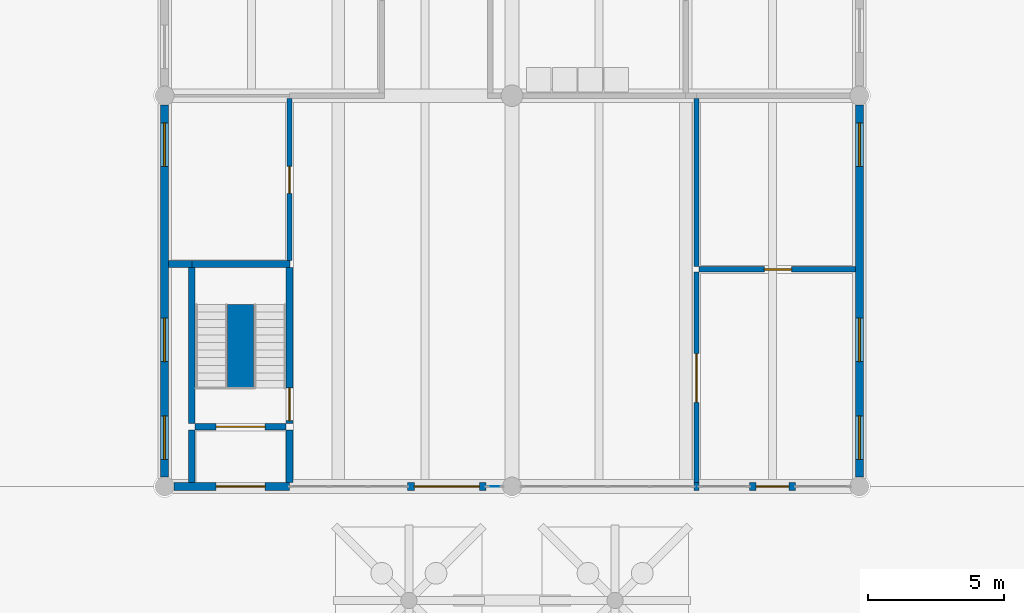
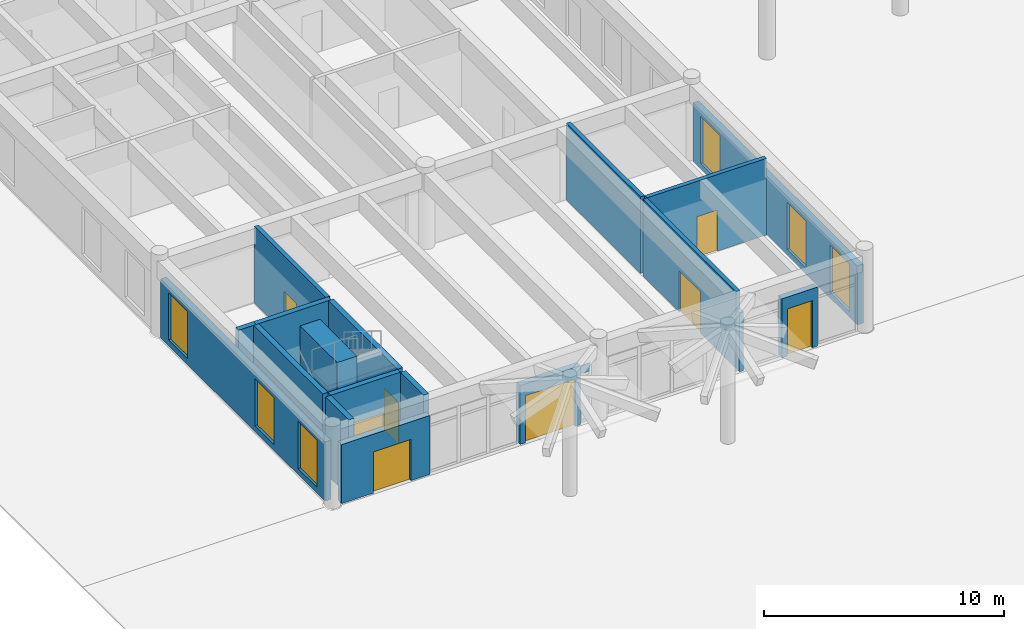
# One storey, part 12 of 28: 18 walls, 8 doors, 6 windows, 1 plate, 14 openings, 1 element without a shape of its own.
"""IFC4 building model written with IfcOpenShell, lengths in metres."""

import ifcopenshell
import ifcopenshell.guid

model = None  # the IFC model being written
_history = None  # IfcOwnerHistory: only IFC2X3 demands one
_inside = {}  # id of a spatial element -> (the spatial element, [elements in it])
_under = {}  # id of a project, library or spatial element -> (it, [spatial elements below it])
_declared = {}  # id of a project -> (the project, [libraries it declares])
_typed = {}  # id of a type object -> (the type object, [elements of that type])
_made_of = {}  # id of a material, layer set ... -> (it, [elements and type objects made of it])


def new_model(schema):
    """Start an empty IFC model of exactly this schema.

    Asked for "IFC4X3", IfcOpenShell would pick the latest addendum, in which some entities
    have other attributes; the version numbers below select the first issue.
    IFC2X3 requires an IfcOwnerHistory on every rooted entity: one is made here for all.
    """
    global model, _history
    if schema == "IFC4X3":
        model = ifcopenshell.file(schema_version=(4, 3, 0, 0))
    else:
        model = ifcopenshell.file(schema=schema)
    _inside.clear()
    _under.clear()
    _declared.clear()
    _typed.clear()
    _made_of.clear()
    _history = None
    if model.schema == "IFC2X3":
        org = make("IfcOrganization", Name="unknown")
        user = make(
            "IfcPersonAndOrganization",
            ThePerson=make("IfcPerson", FamilyName="unknown"),
            TheOrganization=org,
        )
        app = make(
            "IfcApplication",
            ApplicationDeveloper=org,
            Version="unknown",
            ApplicationFullName="unknown",
            ApplicationIdentifier="unknown",
        )
        _history = make(
            "IfcOwnerHistory",
            OwningUser=user,
            OwningApplication=app,
            ChangeAction="ADDED",
            CreationDate=0,
        )
    return model


def make(cls, **values):
    """One entity of the class cls with the attributes given. An attribute that is None is left unset."""
    return model.create_entity(
        cls, **{name: value for name, value in values.items() if value is not None}
    )


def rooted(cls, **values):
    """An entity with a GlobalId (a new one), such as an element, a storey or a relation."""
    return make(cls, GlobalId=ifcopenshell.guid.new(), OwnerHistory=_history, **values)


def si_unit(unit_type, name, prefix=None):
    """IfcSIUnit, for example si_unit("LENGTHUNIT", "METRE", prefix="MILLI")."""
    return make("IfcSIUnit", UnitType=unit_type, Prefix=prefix, Name=name)


def assignment(units):
    """IfcUnitAssignment: the units of a project."""
    return None if units is None else make("IfcUnitAssignment", Units=units)


def point(xyz):
    """IfcCartesianPoint."""
    return None if xyz is None else make("IfcCartesianPoint", Coordinates=xyz)


def direction(xyz):
    """IfcDirection."""
    return None if xyz is None else make("IfcDirection", DirectionRatios=xyz)


def frame(location, z_axis=None, x_axis=None):
    """IfcAxis2Placement3D, a coordinate frame: its origin and axes. An axis left out is left unset."""
    return make(
        "IfcAxis2Placement3D",
        Location=point(location),
        Axis=direction(z_axis),
        RefDirection=direction(x_axis),
    )


def frame_2d(location, x_axis=None):
    """IfcAxis2Placement2D, a coordinate frame in the plane: its origin and x axis."""
    return make(
        "IfcAxis2Placement2D", Location=point(location), RefDirection=direction(x_axis)
    )


def origin():
    """The frame at (0, 0, 0) with its axes left unset."""
    return frame((0.0, 0.0, 0.0))


def origin_2d():
    """The frame at (0, 0) in the plane with its x axis left unset."""
    return frame_2d((0.0, 0.0))


def place(relative_to, where):
    """IfcLocalPlacement: puts the frame where relative to a parent placement (None: the world)."""
    return make(
        "IfcLocalPlacement", PlacementRelTo=relative_to, RelativePlacement=where
    )


def context(
    kind, dimensions, precision=None, world=None, true_north=None, identifier=None
):
    """IfcGeometricRepresentationContext, for example the 3D "Model" context."""
    return make(
        "IfcGeometricRepresentationContext",
        ContextIdentifier=identifier,
        ContextType=kind,
        CoordinateSpaceDimension=dimensions,
        Precision=precision,
        WorldCoordinateSystem=world,
        TrueNorth=true_north,
    )


def subcontext(parent, identifier, kind, view, scale=None):
    """IfcGeometricRepresentationSubContext, for example "Body" below "Model"."""
    return make(
        "IfcGeometricRepresentationSubContext",
        ContextIdentifier=identifier,
        ContextType=kind,
        ParentContext=parent,
        TargetScale=scale,
        TargetView=view,
    )


def project(units=None, contexts=None):
    """IfcProject with its units and contexts."""
    return rooted(
        "IfcProject",
        Name="project",
        RepresentationContexts=contexts,
        UnitsInContext=assignment(units),
    )


def spatial(cls, under=None, at=None, **own):
    """A site, building, storey or space (cls), placed at a placement, below another one or the project."""
    s = rooted(cls, ObjectPlacement=at, **own)
    if under is not None:
        _under.setdefault(under.id(), (under, []))[1].append(s)
    return s


def profile(cls, at=None, kind="AREA", **sizes):
    """A parametric profile (cls). Its sizes go by their IFC names, for example OverallWidth=200.0."""
    return make(cls, ProfileType=kind, Position=at, **sizes)


def rectangle(**sizes):
    """IfcRectangleProfileDef."""
    return profile("IfcRectangleProfileDef", **sizes)


def extrude(swept, where, along, depth):
    """IfcExtrudedAreaSolid: the profile swept, set in the frame where, extruded along a direction by depth."""
    return make(
        "IfcExtrudedAreaSolid",
        SweptArea=swept,
        Position=where,
        ExtrudedDirection=direction(along),
        Depth=depth,
    )


def shape(context_of_items, identifier, shape_type, items):
    """IfcShapeRepresentation: the items that make up one representation, for example the "Body"."""
    return make(
        "IfcShapeRepresentation",
        ContextOfItems=context_of_items,
        RepresentationIdentifier=identifier,
        RepresentationType=shape_type,
        Items=items,
    )


def material(Name=None, Category=None):
    """IfcMaterial."""
    return make("IfcMaterial", Name=Name, Category=Category)


def layer(
    of_material, thickness, ventilated=None, Name=None, Category=None, Priority=None
):
    """IfcMaterialLayer: one layer of a wall or slab, of a material (None: an air gap)."""
    return make(
        "IfcMaterialLayer",
        Material=of_material,
        LayerThickness=thickness,
        IsVentilated=ventilated,
        Name=Name,
        Category=Category,
        Priority=Priority,
    )


def layer_set(layers, Name=None):
    """IfcMaterialLayerSet."""
    return make("IfcMaterialLayerSet", MaterialLayers=layers, LayerSetName=Name)


def made_of(thing, what):
    """Note that an element or type object is made of a material, layer set ...; save() writes the relation."""
    if what is not None:
        _made_of.setdefault(what.id(), (what, []))[1].append(thing)
    return thing


def type_object(cls, material=None, **own):
    """A type object (cls), such as IfcWallType, which elements share."""
    return made_of(rooted(cls, **own), material)


def element(
    cls,
    number,
    at=None,
    inside=None,
    cuts=None,
    type_object=None,
    material=None,
    context=None,
    identifier="Body",
    shape_type=None,
    held_by="IfcProductDefinitionShape",
    body=None,
    shapes=None,
    **own,
):
    """One element of the class cls, such as IfcWall. Its Tag is "e" and its number.

    at: its placement. inside: the storey or other place that contains it. cuts: it is an
    opening in that element (IfcRelVoidsElement). A single representation is given by context,
    identifier, shape_type and body (its items); several are given by shapes. held_by: the class
    of the entity that holds the representations. save() writes the other relations.
    """
    e = rooted(cls, Tag="e%d" % number, ObjectPlacement=at, **own)
    if body is not None:
        shapes = [shape(context, identifier, shape_type, body)]
    if shapes is not None:
        e.Representation = make(held_by, Representations=shapes)
    if inside is not None:
        _inside.setdefault(inside.id(), (inside, []))[1].append(e)
    if cuts is not None:
        rooted(
            "IfcRelVoidsElement", RelatingBuildingElement=cuts, RelatedOpeningElement=e
        )
    if type_object is not None:
        _typed.setdefault(type_object.id(), (type_object, []))[1].append(e)
    return made_of(e, material)


def fill(opening, filler):
    """IfcRelFillsElement: the door or window that sits in an opening."""
    return rooted(
        "IfcRelFillsElement",
        RelatingOpeningElement=opening,
        RelatedBuildingElement=filler,
    )


def aggregate(whole, parts):
    """IfcRelAggregates: a whole, such as a stair, and the parts it consists of."""
    return rooted("IfcRelAggregates", RelatingObject=whole, RelatedObjects=parts)


def save(model, path):
    """Write the relations noted so far, then the file.

    IfcRelAggregates (storeys below a building ...), IfcRelContainedInSpatialStructure (elements
    in a storey), IfcRelDefinesByType, IfcRelAssociatesMaterial and IfcRelDeclares: one each for
    every whole, place, type object, material and project.
    """
    for whole, parts in _under.values():
        aggregate(whole, parts)
    for where, things in _inside.values():
        rooted(
            "IfcRelContainedInSpatialStructure",
            RelatedElements=things,
            RelatingStructure=where,
        )
    for kind, things in _typed.values():
        rooted("IfcRelDefinesByType", RelatedObjects=things, RelatingType=kind)
    for what, things in _made_of.values():
        rooted("IfcRelAssociatesMaterial", RelatedObjects=things, RelatingMaterial=what)
    for by, libraries in _declared.values():
        rooted("IfcRelDeclares", RelatingContext=by, RelatedDefinitions=libraries)
    model.write(path)


model = new_model("IFC4")

# Units and contexts
model_context = context("Model", 3, precision=1e-05, world=origin(), true_north=direction((0.0, 1.0)))
body_context = subcontext(model_context, "Body", "Model", "MODEL_VIEW")
ifc_project = project(units=[si_unit("LENGTHUNIT", "METRE"), si_unit("AREAUNIT", "SQUARE_METRE"), si_unit("VOLUMEUNIT", "CUBIC_METRE"), si_unit("PLANEANGLEUNIT", "RADIAN"), si_unit("MASSUNIT", "GRAM", prefix="KILO")], contexts=[model_context])

# Site, building, storey
site_placement = place(None, origin())
site = spatial("IfcSite", under=ifc_project, at=site_placement, CompositionType="ELEMENT")
building_placement = place(site_placement, origin())
building = spatial("IfcBuilding", under=site, at=building_placement, Name="Fogon Plaza Fire Station and Headquarters Tower", CompositionType="ELEMENT")
storey_placement = place(building_placement, origin())
storey = spatial("IfcBuildingStorey", under=building, at=storey_placement, Name="L00", CompositionType="ELEMENT", Elevation=0.0)

# Curtain wall, plate
ifc_material_1 = material(Name="Aluminium and glass", Category="aluminium")
ifc_layer_1 = layer(ifc_material_1, 0.14990234375)
ifc_layer_set_1 = layer_set([ifc_layer_1], Name="Aluminium and glass")
curtain_wall_type = type_object("IfcCurtainWallType", Name="Unitised Curtain Wall Run 600x3000", PredefinedType="NOTDEFINED", material=ifc_layer_set_1)
curtain_wall_placement = place(storey_placement, origin())
curtain_wall = element("IfcCurtainWall", 1, at=curtain_wall_placement, inside=storey, type_object=curtain_wall_type, Name="CW-600x3000 WS L00", PredefinedType="NOTDEFINED")
ifc_material_2 = material(Name="Low-e double glazing", Category="glass")
ifc_layer_2 = layer(ifc_material_2, 0.028076171875)
ifc_layer_set_2 = layer_set([ifc_layer_2], Name="Low-e double glazing")
plate_type = type_object("IfcPlateType", Name="Vision Glass Panel 480x420", PredefinedType="CURTAIN_PANEL", material=ifc_layer_set_2)
plate_placement = place(storey_placement, frame((12.14990234375, 0.0, 2.4599609375), z_axis=(0.0, 0.0, 1.0), x_axis=(1.0, 0.0, 0.0)))
plate = element("IfcPlate", 2, at=plate_placement, type_object=plate_type, Name="VG-480x420 panel 1.2", PredefinedType="CURTAIN_PANEL", context=body_context, shape_type="SweptSolid", body=[
    extrude(rectangle(XDim=0.47998046875, YDim=0.028076171875, at=origin_2d()), origin(), (0.0, 0.0, 1.0), 0.419921875),
])
aggregate(curtain_wall, [plate])

# Wall, opening, door
ifc_material_3 = material(Name="Concrete C40", Category="concrete")
ifc_layer_3 = layer(ifc_material_3, 0.300048828125)
ifc_layer_set_3 = layer_set([ifc_layer_3], Name="Concrete C40")
wall_type_1 = type_object("IfcWallType", Name="Board-marked RC Infill Wall 300", PredefinedType="SOLIDWALL", material=ifc_layer_set_3)
wall_1_placement = place(storey_placement, frame((8.949951171875, 0.0, 0.0), z_axis=(0.0, 0.0, 1.0), x_axis=(1.0, 0.0, 0.0)))
wall_1 = element("IfcWall", 3, at=wall_1_placement, inside=storey, type_object=wall_type_1, Name="Exterior wall WS L00", PredefinedType="SOLIDWALL", context=body_context, shape_type="SweptSolid", body=[
    extrude(rectangle(XDim=2.900146484375, YDim=0.300048828125, at=frame_2d((1.4501953125, 0.0))), origin(), (0.0, 0.0, 1.0), 3.0),
])
opening_1_placement = place(wall_1_placement, frame((0.25, 0.0, 0.0)))
opening_1 = element("IfcOpeningElement", 4, at=opening_1_placement, cuts=wall_1, Name="Opening L00-D02", PredefinedType="OPENING", context=body_context, shape_type="SweptSolid", body=[
    extrude(rectangle(XDim=2.39990234375, YDim=2.39990234375, at=frame_2d((1.199951171875, 1.199951171875))), frame((0.0, 0.159912109375, 0.0), z_axis=(0.0, -1.0, 0.0), x_axis=(1.0, 0.0, 0.0)), (0.0, 0.0, 1.0), 0.320068359375),
])
ifc_material_4 = material(Name="Aluminium and glass", Category="aluminium")
door_type_1 = type_object("IfcDoorType", Name="Entrance Double Glazed 2400x2400", OperationType="SINGLE_SWING_LEFT", PredefinedType="DOOR", material=ifc_material_4)
door_1_placement = place(opening_1_placement, frame((2.39990234375, 0.0, 0.0), z_axis=(0.0, 0.0, 1.0), x_axis=(-1.0, 0.0, 0.0)))
door_1 = element("IfcDoor", 5, at=door_1_placement, inside=storey, type_object=door_type_1, Name="Exterior door L00-D02", OperationType="SINGLE_SWING_LEFT", OverallHeight=2.39990234375, OverallWidth=2.39990234375, PredefinedType="DOOR", context=body_context, shape_type="SweptSolid", body=[
    extrude(rectangle(XDim=2.39990234375, YDim=2.39990234375, at=frame_2d((1.199951171875, 1.199951171875))), frame((0.0, 0.02490234375, 0.0), z_axis=(0.0, -1.0, 0.0), x_axis=(1.0, 0.0, 0.0)), (0.0, 0.0, 1.0), 0.050048828125),
])
fill(opening_1, door_1)

# Wall
wall_2_placement = place(storey_placement, frame((19.5, 0.0, 0.0), z_axis=(0.0, 0.0, 1.0), x_axis=(1.0, 0.0, 0.0)))
element("IfcWall", 6, at=wall_2_placement, inside=storey, type_object=wall_type_1, Name="Exterior wall WS L00", PredefinedType="SOLIDWALL", context=body_context, shape_type="SweptSolid", body=[
    extrude(rectangle(XDim=0.199951171875, YDim=0.300048828125, at=frame_2d((0.10009765625, 0.0))), origin(), (0.0, 0.0, 1.0), 3.0),
])

# Wall, opening, door
wall_3_placement = place(storey_placement, frame((21.550048828125, 0.0, 0.0), z_axis=(0.0, 0.0, 1.0), x_axis=(1.0, 0.0, 0.0)))
wall_3 = element("IfcWall", 7, at=wall_3_placement, inside=storey, type_object=wall_type_1, Name="Exterior wall WS L00", PredefinedType="SOLIDWALL", context=body_context, shape_type="SweptSolid", body=[
    extrude(rectangle(XDim=1.699951171875, YDim=0.300048828125, at=frame_2d((0.85009765625, 0.0))), origin(), (0.0, 0.0, 1.0), 3.0),
])
opening_2_placement = place(wall_3_placement, frame((0.25, 0.0, 0.0)))
opening_2 = element("IfcOpeningElement", 8, at=opening_2_placement, cuts=wall_3, Name="Opening L00-D03", PredefinedType="OPENING", context=body_context, shape_type="SweptSolid", body=[
    extrude(rectangle(XDim=1.199951171875, YDim=2.39990234375, at=frame_2d((0.60009765625, 1.199951171875))), frame((0.0, 0.159912109375, 0.0), z_axis=(0.0, -1.0, 0.0), x_axis=(1.0, 0.0, 0.0)), (0.0, 0.0, 1.0), 0.320068359375),
])
ifc_material_5 = material(Name="Aluminium and glass", Category="aluminium")
door_type_2 = type_object("IfcDoorType", Name="Entrance Single Glazed 1200x2400", OperationType="SINGLE_SWING_LEFT", PredefinedType="DOOR", material=ifc_material_5)
door_2_placement = place(opening_2_placement, frame((1.199951171875, 0.0, 0.0), z_axis=(0.0, 0.0, 1.0), x_axis=(-1.0, 0.0, 0.0)))
door_2 = element("IfcDoor", 9, at=door_2_placement, inside=storey, type_object=door_type_2, Name="Exterior door L00-D03", OperationType="SINGLE_SWING_LEFT", OverallHeight=2.39990234375, OverallWidth=1.199951171875, PredefinedType="DOOR", context=body_context, shape_type="SweptSolid", body=[
    extrude(rectangle(XDim=1.199951171875, YDim=2.39990234375, at=frame_2d((0.60009765625, 1.199951171875))), frame((0.0, 0.02490234375, 0.0), z_axis=(0.0, -1.0, 0.0), x_axis=(1.0, 0.0, 0.0)), (0.0, 0.0, 1.0), 0.050048828125),
])
fill(opening_2, door_2)

# Wall, openings, windows
wall_4_placement = place(storey_placement, frame((0.0, 0.35009765625, 0.0), z_axis=(0.0, 0.0, 1.0), x_axis=(0.0, 1.0, 0.0)))
wall_4 = element("IfcWall", 10, at=wall_4_placement, inside=storey, type_object=wall_type_1, Name="Exterior wall WW L00", PredefinedType="SOLIDWALL", context=body_context, shape_type="SweptSolid", body=[
    extrude(rectangle(XDim=13.699951171875, YDim=0.300048828125, at=frame_2d((6.85009765625, 0.0))), origin(), (0.0, 0.0, 1.0), 3.0),
])
opening_3_placement = place(wall_4_placement, frame((0.64990234375, 0.0, 0.300048828125)))
opening_3 = element("IfcOpeningElement", 11, at=opening_3_placement, cuts=wall_4, Name="Opening W2", PredefinedType="OPENING", context=body_context, shape_type="SweptSolid", body=[
    extrude(rectangle(XDim=1.60009765625, YDim=2.39990234375, at=frame_2d((0.800048828125, 1.199951171875))), frame((0.0, 0.159912109375, 0.0), z_axis=(0.0, -1.0, 0.0), x_axis=(1.0, 0.0, 0.0)), (0.0, 0.0, 1.0), 0.320068359375),
])
opening_4_placement = place(wall_4_placement, frame((4.25, 0.0, 0.300048828125)))
opening_4 = element("IfcOpeningElement", 12, at=opening_4_placement, cuts=wall_4, Name="Opening W2", PredefinedType="OPENING", context=body_context, shape_type="SweptSolid", body=[
    extrude(rectangle(XDim=1.60009765625, YDim=2.39990234375, at=frame_2d((0.800048828125, 1.199951171875))), frame((0.0, 0.159912109375, 0.0), z_axis=(0.0, -1.0, 0.0), x_axis=(1.0, 0.0, 0.0)), (0.0, 0.0, 1.0), 0.320068359375),
])
opening_5_placement = place(wall_4_placement, frame((11.449951171875, 0.0, 0.300048828125)))
opening_5 = element("IfcOpeningElement", 13, at=opening_5_placement, cuts=wall_4, Name="Opening W2", PredefinedType="OPENING", context=body_context, shape_type="SweptSolid", body=[
    extrude(rectangle(XDim=1.60009765625, YDim=2.39990234375, at=frame_2d((0.800048828125, 1.199951171875))), frame((0.0, 0.159912109375, 0.0), z_axis=(0.0, -1.0, 0.0), x_axis=(1.0, 0.0, 0.0)), (0.0, 0.0, 1.0), 0.320068359375),
])
ifc_material_6 = material(Name="Aluminium framed double glazing", Category="aluminium")
window_type = type_object("IfcWindowType", Name="Window W2 1600x2400", PartitioningType="SINGLE_PANEL", PredefinedType="WINDOW", material=ifc_material_6)
window_1_placement = place(opening_3_placement, origin())
window_1 = element("IfcWindow", 14, at=window_1_placement, inside=storey, type_object=window_type, Name="Window W2 W L00", OverallHeight=2.39990234375, OverallWidth=1.60009765625, PartitioningType="SINGLE_PANEL", PredefinedType="WINDOW", context=body_context, shape_type="SweptSolid", body=[
    extrude(rectangle(XDim=1.60009765625, YDim=2.39990234375, at=frame_2d((0.800048828125, 1.199951171875))), frame((0.0, 0.030029296875, 0.0), z_axis=(0.0, -1.0, 0.0), x_axis=(1.0, 0.0, 0.0)), (0.0, 0.0, 1.0), 0.06005859375),
])
fill(opening_3, window_1)
window_2_placement = place(opening_4_placement, origin())
window_2 = element("IfcWindow", 15, at=window_2_placement, inside=storey, type_object=window_type, Name="Window W2 W L00", OverallHeight=2.39990234375, OverallWidth=1.60009765625, PartitioningType="SINGLE_PANEL", PredefinedType="WINDOW", context=body_context, shape_type="SweptSolid", body=[
    extrude(rectangle(XDim=1.60009765625, YDim=2.39990234375, at=frame_2d((0.800048828125, 1.199951171875))), frame((0.0, 0.030029296875, 0.0), z_axis=(0.0, -1.0, 0.0), x_axis=(1.0, 0.0, 0.0)), (0.0, 0.0, 1.0), 0.06005859375),
])
fill(opening_4, window_2)
window_3_placement = place(opening_5_placement, origin())
window_3 = element("IfcWindow", 16, at=window_3_placement, inside=storey, type_object=window_type, Name="Window W2 W L00", OverallHeight=2.39990234375, OverallWidth=1.60009765625, PartitioningType="SINGLE_PANEL", PredefinedType="WINDOW", context=body_context, shape_type="SweptSolid", body=[
    extrude(rectangle(XDim=1.60009765625, YDim=2.39990234375, at=frame_2d((0.800048828125, 1.199951171875))), frame((0.0, 0.030029296875, 0.0), z_axis=(0.0, -1.0, 0.0), x_axis=(1.0, 0.0, 0.0)), (0.0, 0.0, 1.0), 0.06005859375),
])
fill(opening_5, window_3)

wall_5_placement = place(storey_placement, frame((25.60009765625, 0.35009765625, 0.0), z_axis=(0.0, 0.0, 1.0), x_axis=(0.0, 1.0, 0.0)))
wall_5 = element("IfcWall", 17, at=wall_5_placement, inside=storey, type_object=wall_type_1, Name="Exterior wall WE L00", PredefinedType="SOLIDWALL", context=body_context, shape_type="SweptSolid", body=[
    extrude(rectangle(XDim=13.699951171875, YDim=0.300048828125, at=frame_2d((6.85009765625, 0.0))), origin(), (0.0, 0.0, 1.0), 3.0),
])
opening_6_placement = place(wall_5_placement, frame((0.64990234375, 0.0, 0.300048828125)))
opening_6 = element("IfcOpeningElement", 18, at=opening_6_placement, cuts=wall_5, Name="Opening W2", PredefinedType="OPENING", context=body_context, shape_type="SweptSolid", body=[
    extrude(rectangle(XDim=1.60009765625, YDim=2.39990234375, at=frame_2d((0.800048828125, 1.199951171875))), frame((0.0, 0.159912109375, 0.0), z_axis=(0.0, -1.0, 0.0), x_axis=(1.0, 0.0, 0.0)), (0.0, 0.0, 1.0), 0.320068359375),
])
opening_7_placement = place(wall_5_placement, frame((4.25, 0.0, 0.300048828125)))
opening_7 = element("IfcOpeningElement", 19, at=opening_7_placement, cuts=wall_5, Name="Opening W2", PredefinedType="OPENING", context=body_context, shape_type="SweptSolid", body=[
    extrude(rectangle(XDim=1.60009765625, YDim=2.39990234375, at=frame_2d((0.800048828125, 1.199951171875))), frame((0.0, 0.159912109375, 0.0), z_axis=(0.0, -1.0, 0.0), x_axis=(1.0, 0.0, 0.0)), (0.0, 0.0, 1.0), 0.320068359375),
])
opening_8_placement = place(wall_5_placement, frame((11.449951171875, 0.0, 0.300048828125)))
opening_8 = element("IfcOpeningElement", 20, at=opening_8_placement, cuts=wall_5, Name="Opening W2", PredefinedType="OPENING", context=body_context, shape_type="SweptSolid", body=[
    extrude(rectangle(XDim=1.60009765625, YDim=2.39990234375, at=frame_2d((0.800048828125, 1.199951171875))), frame((0.0, 0.159912109375, 0.0), z_axis=(0.0, -1.0, 0.0), x_axis=(1.0, 0.0, 0.0)), (0.0, 0.0, 1.0), 0.320068359375),
])
window_4_placement = place(opening_6_placement, origin())
window_4 = element("IfcWindow", 21, at=window_4_placement, inside=storey, type_object=window_type, Name="Window W2 E L00", OverallHeight=2.39990234375, OverallWidth=1.60009765625, PartitioningType="SINGLE_PANEL", PredefinedType="WINDOW", context=body_context, shape_type="SweptSolid", body=[
    extrude(rectangle(XDim=1.60009765625, YDim=2.39990234375, at=frame_2d((0.800048828125, 1.199951171875))), frame((0.0, 0.030029296875, 0.0), z_axis=(0.0, -1.0, 0.0), x_axis=(1.0, 0.0, 0.0)), (0.0, 0.0, 1.0), 0.06005859375),
])
fill(opening_6, window_4)
window_5_placement = place(opening_7_placement, origin())
window_5 = element("IfcWindow", 22, at=window_5_placement, inside=storey, type_object=window_type, Name="Window W2 E L00", OverallHeight=2.39990234375, OverallWidth=1.60009765625, PartitioningType="SINGLE_PANEL", PredefinedType="WINDOW", context=body_context, shape_type="SweptSolid", body=[
    extrude(rectangle(XDim=1.60009765625, YDim=2.39990234375, at=frame_2d((0.800048828125, 1.199951171875))), frame((0.0, 0.030029296875, 0.0), z_axis=(0.0, -1.0, 0.0), x_axis=(1.0, 0.0, 0.0)), (0.0, 0.0, 1.0), 0.06005859375),
])
fill(opening_7, window_5)
window_6_placement = place(opening_8_placement, origin())
window_6 = element("IfcWindow", 23, at=window_6_placement, inside=storey, type_object=window_type, Name="Window W2 E L00", OverallHeight=2.39990234375, OverallWidth=1.60009765625, PartitioningType="SINGLE_PANEL", PredefinedType="WINDOW", context=body_context, shape_type="SweptSolid", body=[
    extrude(rectangle(XDim=1.60009765625, YDim=2.39990234375, at=frame_2d((0.800048828125, 1.199951171875))), frame((0.0, 0.030029296875, 0.0), z_axis=(0.0, -1.0, 0.0), x_axis=(1.0, 0.0, 0.0)), (0.0, 0.0, 1.0), 0.06005859375),
])
fill(opening_8, window_6)

# Wall, opening, door
ifc_material_7 = material(Name="Concrete C40", Category="concrete")
ifc_layer_4 = layer(ifc_material_7, 0.300048828125)
ifc_layer_set_4 = layer_set([ifc_layer_4], Name="Concrete C40")
wall_type_2 = type_object("IfcWallType", Name="Board-marked RC Infill Wall 300 EI 120", PredefinedType="SOLIDWALL", material=ifc_layer_set_4)
wall_6_placement = place(storey_placement, frame((0.35009765625, 0.0, 0.0), z_axis=(0.0, 0.0, 1.0), x_axis=(1.0, 0.0, 0.0)))
wall_6 = element("IfcWall", 24, at=wall_6_placement, inside=storey, type_object=wall_type_2, Name="Exterior wall WS L00", PredefinedType="SOLIDWALL", context=body_context, shape_type="SweptSolid", body=[
    extrude(rectangle(XDim=4.25, YDim=0.300048828125, at=frame_2d((2.125, 0.0))), origin(), (0.0, 0.0, 1.0), 3.0),
])
opening_9_placement = place(wall_6_placement, frame((1.550048828125, 0.0, 0.0)))
opening_9 = element("IfcOpeningElement", 25, at=opening_9_placement, cuts=wall_6, Name="Opening L00-D01", PredefinedType="OPENING", context=body_context, shape_type="SweptSolid", body=[
    extrude(rectangle(XDim=1.800048828125, YDim=2.10009765625, at=frame_2d((0.89990234375, 1.050048828125))), frame((0.0, 0.159912109375, 0.0), z_axis=(0.0, -1.0, 0.0), x_axis=(1.0, 0.0, 0.0)), (0.0, 0.0, 1.0), 0.320068359375),
])
ifc_material_8 = material(Name="Steel Fire Door Leaf", Category="steel")
door_type_3 = type_object("IfcDoorType", Name="Stair Discharge Double 1800x2100", OperationType="SINGLE_SWING_LEFT", PredefinedType="DOOR", material=ifc_material_8)
door_3_placement = place(opening_9_placement, frame((1.800048828125, 0.0, 0.0), z_axis=(0.0, 0.0, 1.0), x_axis=(-1.0, 0.0, 0.0)))
door_3 = element("IfcDoor", 26, at=door_3_placement, inside=storey, type_object=door_type_3, Name="Exterior door L00-D01", OperationType="SINGLE_SWING_RIGHT", OverallHeight=2.10009765625, OverallWidth=1.800048828125, PredefinedType="DOOR", context=body_context, shape_type="SweptSolid", body=[
    extrude(rectangle(XDim=1.800048828125, YDim=2.10009765625, at=frame_2d((0.89990234375, 1.050048828125))), frame((0.0, 0.02490234375, 0.0), z_axis=(0.0, -1.0, 0.0), x_axis=(1.0, 0.0, 0.0)), (0.0, 0.0, 1.0), 0.050048828125),
])
fill(opening_9, door_3)

ifc_material_9 = material(Name="Gypsum Board Fire Partition")
ifc_layer_5 = layer(ifc_material_9, 0.199951171875)
ifc_layer_set_5 = layer_set([ifc_layer_5], Name="Gypsum Board Fire Partition")
wall_type_3 = type_object("IfcWallType", Name="Corridor Wall EI 60", PredefinedType="PARTITIONING", material=ifc_layer_set_5)
wall_7_placement = place(storey_placement, frame((19.699951171875, 8.0, 0.0), z_axis=(0.0, 0.0, 1.0), x_axis=(1.0, 0.0, 0.0)))
wall_7 = element("IfcWall", 27, at=wall_7_placement, inside=storey, type_object=wall_type_3, Name="wall-L00-W-002", PredefinedType="PARTITIONING", context=body_context, shape_type="SweptSolid", body=[
    extrude(rectangle(XDim=5.75, YDim=0.199951171875, at=frame_2d((2.875, 0.0))), origin(), (0.0, 0.0, 1.0), 3.89990234375),
])
opening_10_placement = place(wall_7_placement, frame((2.39990234375, 0.0, 0.0)))
opening_10 = element("IfcOpeningElement", 28, at=opening_10_placement, cuts=wall_7, Name="Opening L00-D64", PredefinedType="OPENING", context=body_context, shape_type="SweptSolid", body=[
    extrude(rectangle(XDim=1.0, YDim=2.10009765625, at=frame_2d((0.5, 1.050048828125))), frame((0.0, 0.10986328125, 0.0), z_axis=(0.0, -1.0, 0.0), x_axis=(1.0, 0.0, 0.0)), (0.0, 0.0, 1.0), 0.219970703125),
])
ifc_material_10 = material(Name="Steel Fire Door Leaf", Category="steel")
door_type_4 = type_object("IfcDoorType", Name="Corridor Door EI 20 1000x2100", OperationType="SINGLE_SWING_LEFT", PredefinedType="DOOR", material=ifc_material_10)
door_4_placement = place(opening_10_placement, origin())
door_4 = element("IfcDoor", 29, at=door_4_placement, inside=storey, type_object=door_type_4, Name="door-L00-W-04", OperationType="SINGLE_SWING_LEFT", OverallHeight=2.10009765625, OverallWidth=1.0, PredefinedType="DOOR", context=body_context, shape_type="SweptSolid", body=[
    extrude(rectangle(XDim=1.0, YDim=2.10009765625, at=frame_2d((0.5, 1.050048828125))), frame((0.0, 0.02490234375, 0.0), z_axis=(0.0, -1.0, 0.0), x_axis=(1.0, 0.0, 0.0)), (0.0, 0.0, 1.0), 0.050048828125),
])
fill(opening_10, door_4)

wall_8_placement = place(storey_placement, frame((4.60009765625, 8.324951171875, 0.0), z_axis=(0.0, 0.0, 1.0), x_axis=(0.0, 1.0, 0.0)))
wall_8 = element("IfcWall", 30, at=wall_8_placement, inside=storey, type_object=wall_type_3, Name="wall-L00-W-038", PredefinedType="PARTITIONING", context=body_context, shape_type="SweptSolid", body=[
    extrude(rectangle(XDim=5.97509765625, YDim=0.199951171875, at=frame_2d((2.987548828125, 0.0))), origin(), (0.0, 0.0, 1.0), 3.89990234375),
])
opening_11_placement = place(wall_8_placement, frame((2.47509765625, 0.0, 0.0)))
opening_11 = element("IfcOpeningElement", 31, at=opening_11_placement, cuts=wall_8, Name="Opening L00-D63", PredefinedType="OPENING", context=body_context, shape_type="SweptSolid", body=[
    extrude(rectangle(XDim=1.0, YDim=2.10009765625, at=frame_2d((0.5, 1.050048828125))), frame((0.0, 0.10986328125, 0.0), z_axis=(0.0, -1.0, 0.0), x_axis=(1.0, 0.0, 0.0)), (0.0, 0.0, 1.0), 0.219970703125),
])
door_5_placement = place(opening_11_placement, origin())
door_5 = element("IfcDoor", 32, at=door_5_placement, inside=storey, type_object=door_type_4, Name="door-L00-W-03", OperationType="SINGLE_SWING_LEFT", OverallHeight=2.10009765625, OverallWidth=1.0, PredefinedType="DOOR", context=body_context, shape_type="SweptSolid", body=[
    extrude(rectangle(XDim=1.0, YDim=2.10009765625, at=frame_2d((0.5, 1.050048828125))), frame((0.0, 0.02490234375, 0.0), z_axis=(0.0, -1.0, 0.0), x_axis=(1.0, 0.0, 0.0)), (0.0, 0.0, 1.0), 0.050048828125),
])
fill(opening_11, door_5)

wall_9_placement = place(storey_placement, frame((19.60009765625, 0.14990234375, 0.0), z_axis=(0.0, 0.0, 1.0), x_axis=(0.0, 1.0, 0.0)))
wall_9 = element("IfcWall", 33, at=wall_9_placement, inside=storey, type_object=wall_type_3, Name="wall-L00-W-052", PredefinedType="PARTITIONING", context=body_context, shape_type="SweptSolid", body=[
    extrude(rectangle(XDim=7.75, YDim=0.199951171875, at=frame_2d((3.875, 0.0))), origin(), (0.0, 0.0, 1.0), 3.89990234375),
])
opening_12_placement = place(wall_9_placement, frame((2.949951171875, 0.0, 0.0)))
opening_12 = element("IfcOpeningElement", 34, at=opening_12_placement, cuts=wall_9, Name="Opening L00-D65", PredefinedType="OPENING", context=body_context, shape_type="SweptSolid", body=[
    extrude(rectangle(XDim=1.800048828125, YDim=2.10009765625, at=frame_2d((0.89990234375, 1.050048828125))), frame((0.0, 0.10986328125, 0.0), z_axis=(0.0, -1.0, 0.0), x_axis=(1.0, 0.0, 0.0)), (0.0, 0.0, 1.0), 0.219970703125),
])
ifc_material_11 = material(Name="Steel Fire Door Leaf", Category="steel")
door_type_5 = type_object("IfcDoorType", Name="Corridor Door Double EI 20 1800x2100", OperationType="SINGLE_SWING_LEFT", PredefinedType="DOOR", material=ifc_material_11)
door_6_placement = place(opening_12_placement, frame((1.800048828125, 0.0, 0.0), z_axis=(0.0, 0.0, 1.0), x_axis=(-1.0, 0.0, 0.0)))
door_6 = element("IfcDoor", 35, at=door_6_placement, inside=storey, type_object=door_type_5, Name="door-L00-W-05", OperationType="DOUBLE_DOOR_SINGLE_SWING", OverallHeight=2.10009765625, OverallWidth=1.800048828125, PredefinedType="DOOR", context=body_context, shape_type="SweptSolid", body=[
    extrude(rectangle(XDim=1.800048828125, YDim=2.10009765625, at=frame_2d((0.89990234375, 1.050048828125))), frame((0.0, 0.02490234375, 0.0), z_axis=(0.0, -1.0, 0.0), x_axis=(1.0, 0.0, 0.0)), (0.0, 0.0, 1.0), 0.050048828125),
])
fill(opening_12, door_6)

# Walls
wall_10_placement = place(storey_placement, frame((19.60009765625, 8.10009765625, 0.0), z_axis=(0.0, 0.0, 1.0), x_axis=(0.0, 1.0, 0.0)))
element("IfcWall", 36, at=wall_10_placement, inside=storey, type_object=wall_type_3, Name="wall-L00-W-053", PredefinedType="PARTITIONING", context=body_context, shape_type="SweptSolid", body=[
    extrude(rectangle(XDim=6.199951171875, YDim=0.199951171875, at=frame_2d((3.10009765625, 0.0))), origin(), (0.0, 0.0, 1.0), 3.89990234375),
])
ifc_material_12 = material(Name="Concrete C40", Category="concrete")
ifc_layer_6 = layer(ifc_material_12, 0.949951171875)
ifc_layer_set_6 = layer_set([ifc_layer_6], Name="Concrete C40")
wall_type_4 = type_object("IfcWallType", Name="Stair Newel Wall RC 950", PredefinedType="SHEAR", material=ifc_layer_set_6)
wall_11_placement = place(storey_placement, frame((2.800048828125, 3.625, 0.0), z_axis=(0.0, 0.0, 1.0), x_axis=(0.0, 1.0, 0.0)))
element("IfcWall", 37, at=wall_11_placement, inside=storey, type_object=wall_type_4, Name="wall-newel-ST6-L00", PredefinedType="SHEAR", context=body_context, shape_type="SweptSolid", body=[
    extrude(rectangle(XDim=3.080078125, YDim=0.949951171875, at=frame_2d((1.5400390625, 0.0))), origin(), (0.0, 0.0, 1.0), 4.199951171875),
])

# Wall, opening, door
ifc_material_13 = material(Name="Concrete C40", Category="concrete")
ifc_layer_7 = layer(ifc_material_13, 0.25)
ifc_layer_set_7 = layer_set([ifc_layer_7], Name="Concrete C40")
wall_type_5 = type_object("IfcWallType", Name="Stair Shaft Wall RC 250", PredefinedType="SHEAR", material=ifc_layer_set_7)
wall_12_placement = place(storey_placement, frame((1.125, 2.199951171875, 0.0), z_axis=(0.0, 0.0, 1.0), x_axis=(1.0, 0.0, 0.0)))
wall_12 = element("IfcWall", 38, at=wall_12_placement, inside=storey, type_object=wall_type_5, Name="wall-L00-W-001", PredefinedType="SHEAR", context=body_context, shape_type="SweptSolid", body=[
    extrude(rectangle(XDim=3.35009765625, YDim=0.25, at=frame_2d((1.675048828125, 0.0))), origin(), (0.0, 0.0, 1.0), 3.89990234375),
])
opening_13_placement = place(wall_12_placement, frame((0.77490234375, 0.0, 0.0)))
opening_13 = element("IfcOpeningElement", 39, at=opening_13_placement, cuts=wall_12, Name="Opening L00-D62", PredefinedType="OPENING", context=body_context, shape_type="SweptSolid", body=[
    extrude(rectangle(XDim=1.800048828125, YDim=2.10009765625, at=frame_2d((0.89990234375, 1.050048828125))), frame((0.0, 0.135009765625, 0.0), z_axis=(0.0, -1.0, 0.0), x_axis=(1.0, 0.0, 0.0)), (0.0, 0.0, 1.0), 0.27001953125),
])
door_7_placement = place(opening_13_placement, frame((1.800048828125, 0.0, 0.0), z_axis=(0.0, 0.0, 1.0), x_axis=(-1.0, 0.0, 0.0)))
door_7 = element("IfcDoor", 40, at=door_7_placement, inside=storey, type_object=door_type_3, Name="door-L00-W-02", OperationType="DOUBLE_DOOR_SINGLE_SWING", OverallHeight=2.10009765625, OverallWidth=1.800048828125, PredefinedType="DOOR", context=body_context, shape_type="SweptSolid", body=[
    extrude(rectangle(XDim=1.800048828125, YDim=2.10009765625, at=frame_2d((0.89990234375, 1.050048828125))), frame((0.0, 0.02490234375, 0.0), z_axis=(0.0, -1.0, 0.0), x_axis=(1.0, 0.0, 0.0)), (0.0, 0.0, 1.0), 0.050048828125),
])
fill(opening_13, door_7)

# Walls
wall_13_placement = place(storey_placement, frame((1.0, 8.199951171875, 0.0), z_axis=(0.0, 0.0, 1.0), x_axis=(1.0, 0.0, 0.0)))
element("IfcWall", 41, at=wall_13_placement, inside=storey, type_object=wall_type_5, Name="wall-L00-W-004", PredefinedType="SHEAR", context=body_context, shape_type="SweptSolid", body=[
    extrude(rectangle(XDim=3.610107421875, YDim=0.25, at=frame_2d((1.80517578125, 0.0))), origin(), (0.0, 0.0, 1.0), 3.89990234375),
])
wall_14_placement = place(storey_placement, frame((1.0, 2.324951171875, 0.0), z_axis=(0.0, 0.0, 1.0), x_axis=(0.0, 1.0, 0.0)))
element("IfcWall", 42, at=wall_14_placement, inside=storey, type_object=wall_type_5, Name="wall-L00-W-030", PredefinedType="SHEAR", context=body_context, shape_type="SweptSolid", body=[
    extrude(rectangle(XDim=5.75, YDim=0.25, at=frame_2d((2.875, 0.0))), origin(), (0.0, 0.0, 1.0), 3.89990234375),
])

# Wall, opening, door
wall_15_placement = place(storey_placement, frame((4.60009765625, 2.324951171875, 0.0), z_axis=(0.0, 0.0, 1.0), x_axis=(0.0, 1.0, 0.0)))
wall_15 = element("IfcWall", 43, at=wall_15_placement, inside=storey, type_object=wall_type_5, Name="wall-L00-W-037", PredefinedType="SHEAR", context=body_context, shape_type="SweptSolid", body=[
    extrude(rectangle(XDim=5.75, YDim=0.25, at=frame_2d((2.875, 0.0))), origin(), (0.0, 0.0, 1.0), 3.89990234375),
])
opening_14_placement = place(wall_15_placement, frame((0.10498046875, 0.0, 0.0)))
opening_14 = element("IfcOpeningElement", 44, at=opening_14_placement, cuts=wall_15, Name="Opening L00-D61", PredefinedType="OPENING", context=body_context, shape_type="SweptSolid", body=[
    extrude(rectangle(XDim=1.199951171875, YDim=2.10009765625, at=frame_2d((0.60009765625, 1.050048828125))), frame((0.0, 0.135009765625, 0.0), z_axis=(0.0, -1.0, 0.0), x_axis=(1.0, 0.0, 0.0)), (0.0, 0.0, 1.0), 0.27001953125),
])
ifc_material_14 = material(Name="Steel Fire Door Leaf", Category="steel")
door_type_6 = type_object("IfcDoorType", Name="Stair Door EI 90 1200x2100", OperationType="SINGLE_SWING_LEFT", PredefinedType="DOOR", material=ifc_material_14)
door_8_placement = place(opening_14_placement, frame((1.199951171875, 0.0, 0.0), z_axis=(0.0, 0.0, 1.0), x_axis=(-1.0, 0.0, 0.0)))
door_8 = element("IfcDoor", 45, at=door_8_placement, inside=storey, type_object=door_type_6, Name="door-L00-W-01", OperationType="SINGLE_SWING_LEFT", OverallHeight=2.10009765625, OverallWidth=1.199951171875, PredefinedType="DOOR", context=body_context, shape_type="SweptSolid", body=[
    extrude(rectangle(XDim=1.199951171875, YDim=2.10009765625, at=frame_2d((0.60009765625, 1.050048828125))), frame((0.0, 0.02490234375, 0.0), z_axis=(0.0, -1.0, 0.0), x_axis=(1.0, 0.0, 0.0)), (0.0, 0.0, 1.0), 0.050048828125),
])
fill(opening_14, door_8)

# Walls
ifc_material_15 = material(Name="Concrete Block Fire Wall", Category="concrete")
ifc_layer_8 = layer(ifc_material_15, 0.25)
ifc_layer_set_8 = layer_set([ifc_layer_8], Name="Concrete Block Fire Wall")
wall_type_6 = type_object("IfcWallType", Name="Stair and Shaft Wall EI 120", PredefinedType="PARTITIONING", material=ifc_layer_set_8)
wall_16_placement = place(storey_placement, frame((0.14990234375, 8.199951171875, 0.0), z_axis=(0.0, 0.0, 1.0), x_axis=(1.0, 0.0, 0.0)))
element("IfcWall", 46, at=wall_16_placement, inside=storey, type_object=wall_type_6, Name="wall-L00-W-003", PredefinedType="PARTITIONING", context=body_context, shape_type="SweptSolid", body=[
    extrude(rectangle(XDim=0.85009765625, YDim=0.25, at=frame_2d((0.425048828125, 0.0))), origin(), (0.0, 0.0, 1.0), 3.89990234375),
])
for number, where, z_axis, x_axis, name in (
    (47, (1.0, 0.14990234375, 0.0), (0.0, 0.0, 1.0), (0.0, 1.0, 0.0), "wall-L00-W-029"),
    (48, (4.60009765625, 0.14990234375, 0.0), (0.0, 0.0, 1.0), (0.0, 1.0, 0.0), "wall-L00-W-036"),
):
    element("IfcWall", number, at=place(storey_placement, frame(where, z_axis=z_axis, x_axis=x_axis)), inside=storey, type_object=wall_type_6, Name=name, PredefinedType="PARTITIONING", context=body_context, shape_type="SweptSolid", body=[
        extrude(rectangle(XDim=1.925048828125, YDim=0.25, at=frame_2d((0.96240234375, 0.0))), origin(), (0.0, 0.0, 1.0), 3.89990234375),
    ])

save(model, "model.ifc")
